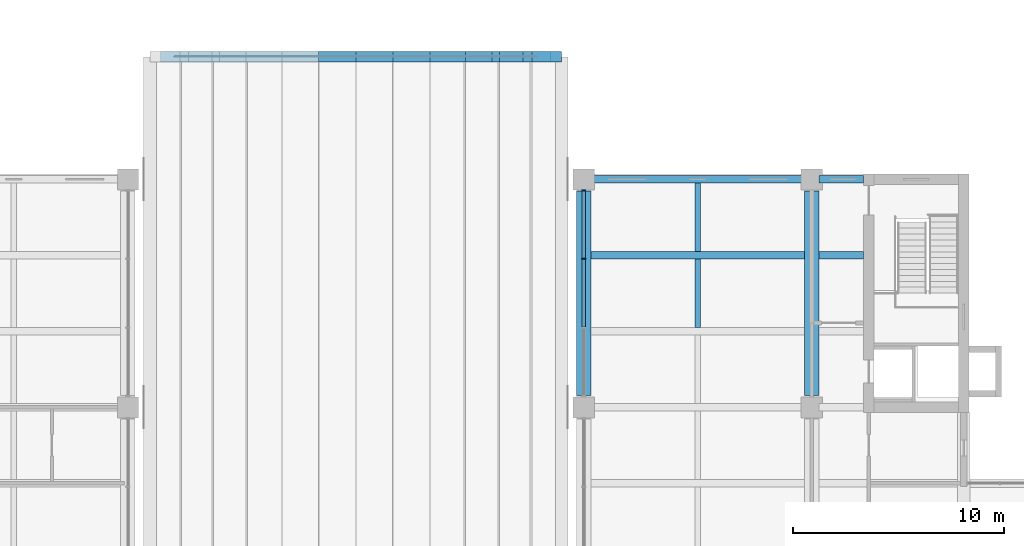
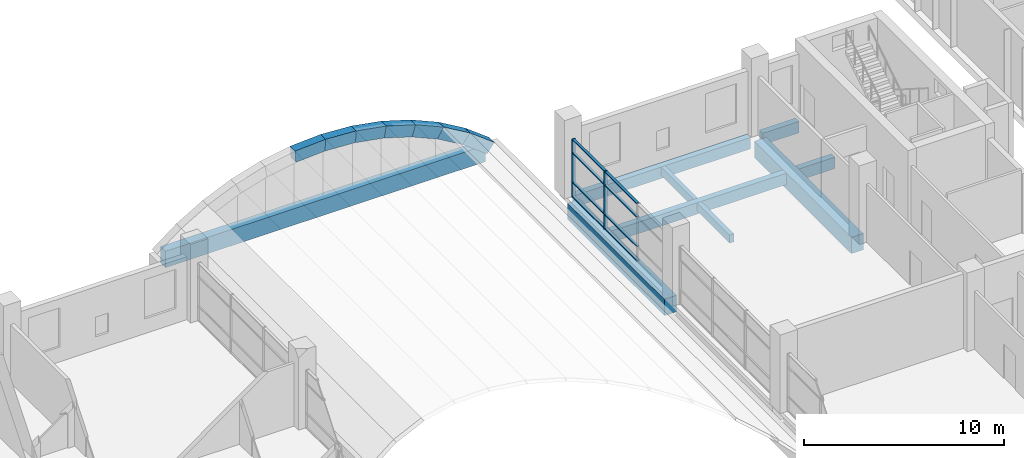
# One storey, part 22 of 45: 16 beams, 10 members, 1 element without a shape of its own.
"""IFC4 building model written with IfcOpenShell, lengths in metres."""

from ifc_helpers import new_model, si_unit, direction, frame, origin, origin_2d, place, context, subcontext, project, spatial, rectangle, extrude, material, layer, layer_set, material_profile, profile_set, type_object, element, aggregate, save


model = new_model("IFC4")

# Units and contexts
model_context = context("Model", 3, precision=1e-05, world=origin(), true_north=direction((0.0, 1.0)))
body_context = subcontext(model_context, "Body", "Model", "MODEL_VIEW")
ifc_project = project(units=[si_unit("LENGTHUNIT", "METRE"), si_unit("AREAUNIT", "SQUARE_METRE"), si_unit("VOLUMEUNIT", "CUBIC_METRE"), si_unit("PLANEANGLEUNIT", "RADIAN"), si_unit("MASSUNIT", "GRAM", prefix="KILO")], contexts=[model_context])

# Site, building, storey
site_placement = place(None, origin())
site = spatial("IfcSite", under=ifc_project, at=site_placement, CompositionType="ELEMENT")
building_placement = place(site_placement, origin())
building = spatial("IfcBuilding", under=site, at=building_placement, Name="Basin Gate Institute", CompositionType="ELEMENT")
storey_placement = place(building_placement, frame((0.0, 0.0, 22.199951171875)))
storey = spatial("IfcBuildingStorey", under=building, at=storey_placement, Name="L04", CompositionType="ELEMENT", Elevation=22.199951171875)

# Beams
ifc_material_1 = material(Name="Concrete 40 MPa", Category="concrete")
ifc_material_profile_1 = material_profile(ifc_material_1, rectangle(XDim=0.35009765625, YDim=0.699951171875, at=origin_2d()), Name="Beam B1 350 x 700")
ifc_profile_set_1 = profile_set([ifc_material_profile_1], Name="Concrete 40 MPa")
beam_type_1 = type_object("IfcBeamType", Name="Beam B1 R120", PredefinedType="BEAM", material=ifc_profile_set_1)
beam_1_placement = place(storey_placement, frame((111.25, 96.300048828125, -0.599853515625), z_axis=(-1.0, 0.0, 0.0), x_axis=(0.0, -1.0, 0.0)))
element("IfcBeam", 1, at=beam_1_placement, inside=storey, type_object=beam_type_1, material=ifc_profile_set_1, Name="BEAM/L04/E/EW/18", PredefinedType="BEAM", context=body_context, shape_type="SweptSolid", body=[
    extrude(rectangle(XDim=0.35009765625, YDim=0.699951171875, at=origin_2d()), origin(), (0.0, 0.0, 1.0), 10.10009765625),
])
beam_2_placement = place(storey_placement, frame((114.050048828125, 96.300048828125, -0.599853515625), z_axis=(-1.0, 0.0, 0.0), x_axis=(0.0, -1.0, 0.0)))
element("IfcBeam", 2, at=beam_2_placement, inside=storey, type_object=beam_type_1, material=ifc_profile_set_1, Name="BEAM/L04/E/CORR/18", PredefinedType="BEAM", context=body_context, shape_type="SweptSolid", body=[
    extrude(rectangle(XDim=0.35009765625, YDim=0.699951171875, at=origin_2d()), origin(), (0.0, 0.0, 1.0), 2.10009765625),
])
beam_3_placement = place(storey_placement, frame((111.25, 99.89990234375, -0.599853515625), z_axis=(-1.0, 0.0, 0.0), x_axis=(0.0, -1.0, 0.0)))
element("IfcBeam", 3, at=beam_3_placement, inside=storey, type_object=beam_type_1, material=ifc_profile_set_1, Name="BEAM/L04/E/EW/19", PredefinedType="BEAM", context=body_context, shape_type="SweptSolid", body=[
    extrude(rectangle(XDim=0.35009765625, YDim=0.699951171875, at=origin_2d()), origin(), (0.0, 0.0, 1.0), 10.10009765625),
])
beam_4_placement = place(storey_placement, frame((114.050048828125, 99.89990234375, -0.599853515625), z_axis=(-1.0, 0.0, 0.0), x_axis=(0.0, -1.0, 0.0)))
element("IfcBeam", 4, at=beam_4_placement, inside=storey, type_object=beam_type_1, material=ifc_profile_set_1, Name="BEAM/L04/E/CORR/19", PredefinedType="BEAM", context=body_context, shape_type="SweptSolid", body=[
    extrude(rectangle(XDim=0.35009765625, YDim=0.699951171875, at=origin_2d()), origin(), (0.0, 0.0, 1.0), 2.10009765625),
])
ifc_material_2 = material(Name="Concrete 50 MPa", Category="concrete")
ifc_material_profile_2 = material_profile(ifc_material_2, rectangle(XDim=0.699951171875, YDim=1.0, at=origin_2d()), Name="Girder G1 700 x 1000")
ifc_profile_set_2 = profile_set([ifc_material_profile_2], Name="Concrete 50 MPa")
beam_type_2 = type_object("IfcBeamType", Name="Girder G1 R120", PredefinedType="BEAM", material=ifc_profile_set_2)
for number, where, z_axis, x_axis, name in (
    (5, (111.60009765625, 89.64990234375, -0.75), (0.0, 1.0, 0.0), (-1.0, 0.0, 0.0), "GIR/L04/E8/6"),
    (6, (100.800048828125, 89.64990234375, -0.75), (0.0, 1.0, 0.0), (-1.0, 0.0, 0.0), "GIR/L04/E7/6"),
):
    element("IfcBeam", number, at=place(storey_placement, frame(where, z_axis=z_axis, x_axis=x_axis)), inside=storey, type_object=beam_type_2, material=ifc_profile_set_2, Name=name, PredefinedType="BEAM", context=body_context, shape_type="SweptSolid", body=[
        extrude(rectangle(XDim=0.699951171875, YDim=1.0, at=origin_2d()), origin(), (0.0, 0.0, 1.0), 9.7001953125),
    ])

# Curtain wall, members
ifc_material_3 = material(Name="Aluminium-framed glazing", Category="aluminium")
ifc_layer = layer(ifc_material_3, 0.199951171875)
ifc_layer_set = layer_set([ifc_layer], Name="Atrium curtain wall CW2")
curtain_wall_type = type_object("IfcCurtainWallType", Name="Atrium curtain wall CW2", PredefinedType="NOTDEFINED", material=ifc_layer_set)
curtain_wall_placement = place(storey_placement, origin())
curtain_wall = element("IfcCurtainWall", 7, at=curtain_wall_placement, inside=storey, type_object=curtain_wall_type, material=ifc_layer_set, Name="Atrium curtain wall E wing atrium bay 6 L04", PredefinedType="NOTDEFINED")
ifc_material_4 = material(Name="Aluminium", Category="aluminium")
ifc_material_profile_3 = material_profile(ifc_material_4, rectangle(XDim=0.199951171875, YDim=0.06005859375, at=origin_2d()), Name="Mullion MU2 200 x 60")
ifc_profile_set_3 = profile_set([ifc_material_profile_3], Name="Aluminium")
member_type_1 = type_object("IfcMemberType", Name="Mullion MU2", PredefinedType="MULLION", material=ifc_profile_set_3)
member_1_placement = place(storey_placement, frame((100.800048828125, 96.13330078125, 0.0), z_axis=(0.0, 0.0, 1.0), x_axis=(-1.0, 0.0, 0.0)))
member_1 = element("IfcMember", 8, at=member_1_placement, type_object=member_type_1, material=ifc_profile_set_3, Name="CW2 mullion 3", PredefinedType="MULLION", context=body_context, shape_type="SweptSolid", body=[
    extrude(rectangle(XDim=0.199951171875, YDim=0.06005859375, at=origin_2d()), origin(), (0.0, 0.0, 1.0), 3.550048828125),
])
member_2_placement = place(storey_placement, frame((100.800048828125, 99.3701171875, 0.0), z_axis=(0.0, 0.0, 1.0), x_axis=(-1.0, 0.0, 0.0)))
member_2 = element("IfcMember", 9, at=member_2_placement, type_object=member_type_1, material=ifc_profile_set_3, Name="CW2 mullion 4", PredefinedType="MULLION", context=body_context, shape_type="SweptSolid", body=[
    extrude(rectangle(XDim=0.199951171875, YDim=0.06005859375, at=origin_2d()), origin(), (0.0, 0.0, 1.0), 3.550048828125),
])

# Beams
ifc_material_5 = material(Name="Concrete 40 MPa", Category="concrete")
ifc_material_profile_4 = material_profile(ifc_material_5, rectangle(XDim=0.25, YDim=0.5, at=origin_2d()), Name="Rib R1 250 x 500")
ifc_profile_set_4 = profile_set([ifc_material_profile_4], Name="Concrete 40 MPa")
beam_type_3 = type_object("IfcBeamType", Name="Rib R1 R120", PredefinedType="JOIST", material=ifc_profile_set_4)
for number, where, z_axis, x_axis, name in (
    (10, (106.199951171875, 92.875, -0.5), (0.0, 1.0, 0.0), (-1.0, 0.0, 0.0), "BEAM/L04/E/RIB/17"),
    (11, (106.199951171875, 96.47509765625, -0.5), (0.0, 1.0, 0.0), (-1.0, 0.0, 0.0), "BEAM/L04/E/RIB/18"),
):
    element("IfcBeam", number, at=place(storey_placement, frame(where, z_axis=z_axis, x_axis=x_axis)), inside=storey, type_object=beam_type_3, material=ifc_profile_set_4, Name=name, PredefinedType="JOIST", context=body_context, shape_type="SweptSolid", body=[
        extrude(rectangle(XDim=0.25, YDim=0.5, at=origin_2d()), origin(), (0.0, 0.0, 1.0), 3.25),
    ])
ifc_material_6 = material(Name="Concrete 40 MPa", Category="concrete")
ifc_material_profile_5 = material_profile(ifc_material_6, rectangle(XDim=0.5, YDim=0.699951171875, at=origin_2d()), Name="Shell arch rib SR1 500 x 700")
ifc_profile_set_5 = profile_set([ifc_material_profile_5], Name="Concrete 40 MPa")
beam_type_4 = type_object("IfcBeamType", Name="Shell arch rib SR1 R120", PredefinedType="BEAM", material=ifc_profile_set_5)
for number, where, z_axis, x_axis, name in (
    (12, (88.256103515625, 105.699951171875, 3.14697265625), (0.99826817729, 0.0, 0.05882725737), (0.0, 1.0, 0.0), "Atrium shell end rib 2 segment 6"),
    (13, (89.97900390625, 105.699951171875, 3.2509765625), (0.99826817729, 0.0, -0.05882725737), (0.0, 1.0, 0.0), "Atrium shell end rib 2 segment 7"),
):
    element("IfcBeam", number, at=place(storey_placement, frame(where, z_axis=z_axis, x_axis=x_axis)), inside=storey, type_object=beam_type_4, material=ifc_profile_set_5, Name=name, PredefinedType="BEAM", context=body_context, shape_type="SweptSolid", body=[
        extrude(rectangle(XDim=0.5, YDim=0.699951171875, at=origin_2d()), origin(), (0.0, 0.0, 1.0), 1.76806640625),
    ])
beam_5_placement = place(storey_placement, frame((91.702880859375, 105.699951171875, 3.151123046875), z_axis=(0.984400250243, 0.0, -0.175943591303), x_axis=(0.0, 1.0, 0.0)))
element("IfcBeam", 14, at=beam_5_placement, inside=storey, type_object=beam_type_4, material=ifc_profile_set_5, Name="Atrium shell end rib 2 segment 8", PredefinedType="BEAM", context=body_context, shape_type="SweptSolid", body=[
    extrude(rectangle(XDim=0.5, YDim=0.699951171875, at=origin_2d()), origin(), (0.0, 0.0, 1.0), 1.767822265625),
])
beam_6_placement = place(storey_placement, frame((93.403076171875, 105.699951171875, 2.85009765625), z_axis=(0.956794187978, 0.0, -0.290766025957), x_axis=(0.0, 1.0, 0.0)))
element("IfcBeam", 15, at=beam_6_placement, inside=storey, type_object=beam_type_4, material=ifc_profile_set_5, Name="Atrium shell end rib 2 segment 9", PredefinedType="BEAM", context=body_context, shape_type="SweptSolid", body=[
    extrude(rectangle(XDim=0.5, YDim=0.699951171875, at=origin_2d()), origin(), (0.0, 0.0, 1.0), 1.768310546875),
])
beam_7_placement = place(storey_placement, frame((95.056884765625, 105.699951171875, 2.35009765625), z_axis=(0.916030487787, 0.0, -0.401108645436), x_axis=(0.0, 1.0, 0.0)))
element("IfcBeam", 16, at=beam_7_placement, inside=storey, type_object=beam_type_4, material=ifc_profile_set_5, Name="Atrium shell end rib 2 segment 10", PredefinedType="BEAM", context=body_context, shape_type="SweptSolid", body=[
    extrude(rectangle(XDim=0.5, YDim=0.699951171875, at=origin_2d()), origin(), (0.0, 0.0, 1.0), 1.767578125),
])
beam_8_placement = place(storey_placement, frame((96.638916015625, 105.699951171875, 1.66015625), z_axis=(0.862700047675, 0.0, -0.505715955593), x_axis=(0.0, 1.0, 0.0)))
element("IfcBeam", 17, at=beam_8_placement, inside=storey, type_object=beam_type_4, material=ifc_profile_set_5, Name="Atrium shell end rib 2 segment 11", PredefinedType="BEAM", context=body_context, shape_type="SweptSolid", body=[
    extrude(rectangle(XDim=0.5, YDim=0.699951171875, at=origin_2d()), origin(), (0.0, 0.0, 1.0), 1.767822265625),
])
beam_9_placement = place(storey_placement, frame((98.1298828125, 105.699951171875, 0.7890625), z_axis=(0.796941083787, 0.0, -0.604057041158), x_axis=(0.0, 1.0, 0.0)))
element("IfcBeam", 18, at=beam_9_placement, inside=storey, type_object=beam_type_4, material=ifc_profile_set_5, Name="Atrium shell end rib 2 segment 12", PredefinedType="BEAM", context=body_context, shape_type="SweptSolid", body=[
    extrude(rectangle(XDim=0.5, YDim=0.699951171875, at=origin_2d()), origin(), (0.0, 0.0, 1.0), 1.768310546875),
])
ifc_material_7 = material(Name="Concrete 40 MPa", Category="concrete")
ifc_material_profile_6 = material_profile(ifc_material_7, rectangle(XDim=0.5, YDim=1.0, at=origin_2d()), Name="Shell end tie beam SE3 500 x 1000")
ifc_profile_set_6 = profile_set([ifc_material_profile_6], Name="Concrete 40 MPa")
beam_type_5 = type_object("IfcBeamType", Name="Shell end tie beam SE3 R120", PredefinedType="BEAM", material=ifc_profile_set_6)
beam_10_placement = place(storey_placement, frame((80.75, 105.699951171875, -0.5), z_axis=(1.0, 0.0, 0.0), x_axis=(0.0, 1.0, 0.0)))
element("IfcBeam", 19, at=beam_10_placement, inside=storey, type_object=beam_type_5, material=ifc_profile_set_6, Name="Atrium shell end tie beam N", PredefinedType="BEAM", context=body_context, shape_type="SweptSolid", body=[
    extrude(rectangle(XDim=0.5, YDim=1.0, at=origin_2d()), origin(), (0.0, 0.0, 1.0), 18.5),
])

# Member
ifc_material_8 = material(Name="Aluminium", Category="aluminium")
ifc_material_profile_7 = material_profile(ifc_material_8, rectangle(XDim=0.14990234375, YDim=0.06005859375, at=origin_2d()), Name="Transom TR2 150 x 60")
ifc_profile_set_7 = profile_set([ifc_material_profile_7], Name="Aluminium")
member_type_2 = type_object("IfcMemberType", Name="Transom TR2", PredefinedType="USERDEFINED", material=ifc_profile_set_7)
member_3_placement = place(storey_placement, frame((100.800048828125, 92.896728515625, 0.030029296875), z_axis=(0.0, 1.0, 0.0), x_axis=(-1.0, 0.0, 0.0)))
member_3 = element("IfcMember", 20, at=member_3_placement, type_object=member_type_2, material=ifc_profile_set_7, Name="CW2 transom 2.1", ObjectType="TRANSOM", PredefinedType="USERDEFINED", context=body_context, shape_type="SweptSolid", body=[
    extrude(rectangle(XDim=0.14990234375, YDim=0.06005859375, at=origin_2d()), origin(), (0.0, 0.0, 1.0), 3.20654296875),
])

member_4_placement = place(storey_placement, frame((100.800048828125, 92.896728515625, 0.900146484375), z_axis=(0.0, 1.0, 0.0), x_axis=(-1.0, 0.0, 0.0)))
member_4 = element("IfcMember", 21, at=member_4_placement, type_object=member_type_2, material=ifc_profile_set_7, Name="CW2 transom 2.2", ObjectType="TRANSOM", PredefinedType="USERDEFINED", context=body_context, shape_type="SweptSolid", body=[
    extrude(rectangle(XDim=0.14990234375, YDim=0.06005859375, at=origin_2d()), origin(), (0.0, 0.0, 1.0), 3.20654296875),
])

member_5_placement = place(storey_placement, frame((100.800048828125, 92.896728515625, 2.699951171875), z_axis=(0.0, 1.0, 0.0), x_axis=(-1.0, 0.0, 0.0)))
member_5 = element("IfcMember", 22, at=member_5_placement, type_object=member_type_2, material=ifc_profile_set_7, Name="CW2 transom 2.3", ObjectType="TRANSOM", PredefinedType="USERDEFINED", context=body_context, shape_type="SweptSolid", body=[
    extrude(rectangle(XDim=0.14990234375, YDim=0.06005859375, at=origin_2d()), origin(), (0.0, 0.0, 1.0), 3.20654296875),
])

member_6_placement = place(storey_placement, frame((100.800048828125, 92.896728515625, 3.52001953125), z_axis=(0.0, 1.0, 0.0), x_axis=(-1.0, 0.0, 0.0)))
member_6 = element("IfcMember", 23, at=member_6_placement, type_object=member_type_2, material=ifc_profile_set_7, Name="CW2 transom 2.4", ObjectType="TRANSOM", PredefinedType="USERDEFINED", context=body_context, shape_type="SweptSolid", body=[
    extrude(rectangle(XDim=0.14990234375, YDim=0.06005859375, at=origin_2d()), origin(), (0.0, 0.0, 1.0), 3.20654296875),
])

member_7_placement = place(storey_placement, frame((100.800048828125, 96.163330078125, 0.030029296875), z_axis=(0.0, 1.0, 0.0), x_axis=(-1.0, 0.0, 0.0)))
member_7 = element("IfcMember", 24, at=member_7_placement, type_object=member_type_2, material=ifc_profile_set_7, Name="CW2 transom 3.1", ObjectType="TRANSOM", PredefinedType="USERDEFINED", context=body_context, shape_type="SweptSolid", body=[
    extrude(rectangle(XDim=0.14990234375, YDim=0.06005859375, at=origin_2d()), origin(), (0.0, 0.0, 1.0), 3.1767578125),
])

member_8_placement = place(storey_placement, frame((100.800048828125, 96.163330078125, 0.900146484375), z_axis=(0.0, 1.0, 0.0), x_axis=(-1.0, 0.0, 0.0)))
member_8 = element("IfcMember", 25, at=member_8_placement, type_object=member_type_2, material=ifc_profile_set_7, Name="CW2 transom 3.2", ObjectType="TRANSOM", PredefinedType="USERDEFINED", context=body_context, shape_type="SweptSolid", body=[
    extrude(rectangle(XDim=0.14990234375, YDim=0.06005859375, at=origin_2d()), origin(), (0.0, 0.0, 1.0), 3.1767578125),
])

member_9_placement = place(storey_placement, frame((100.800048828125, 96.163330078125, 2.699951171875), z_axis=(0.0, 1.0, 0.0), x_axis=(-1.0, 0.0, 0.0)))
member_9 = element("IfcMember", 26, at=member_9_placement, type_object=member_type_2, material=ifc_profile_set_7, Name="CW2 transom 3.3", ObjectType="TRANSOM", PredefinedType="USERDEFINED", context=body_context, shape_type="SweptSolid", body=[
    extrude(rectangle(XDim=0.14990234375, YDim=0.06005859375, at=origin_2d()), origin(), (0.0, 0.0, 1.0), 3.1767578125),
])

member_10_placement = place(storey_placement, frame((100.800048828125, 96.163330078125, 3.52001953125), z_axis=(0.0, 1.0, 0.0), x_axis=(-1.0, 0.0, 0.0)))
member_10 = element("IfcMember", 27, at=member_10_placement, type_object=member_type_2, material=ifc_profile_set_7, Name="CW2 transom 3.4", ObjectType="TRANSOM", PredefinedType="USERDEFINED", context=body_context, shape_type="SweptSolid", body=[
    extrude(rectangle(XDim=0.14990234375, YDim=0.06005859375, at=origin_2d()), origin(), (0.0, 0.0, 1.0), 3.1767578125),
])

aggregate(curtain_wall, [member_1, member_2, member_3, member_4, member_5, member_6, member_7, member_8, member_9, member_10])

save(model, "model.ifc")
